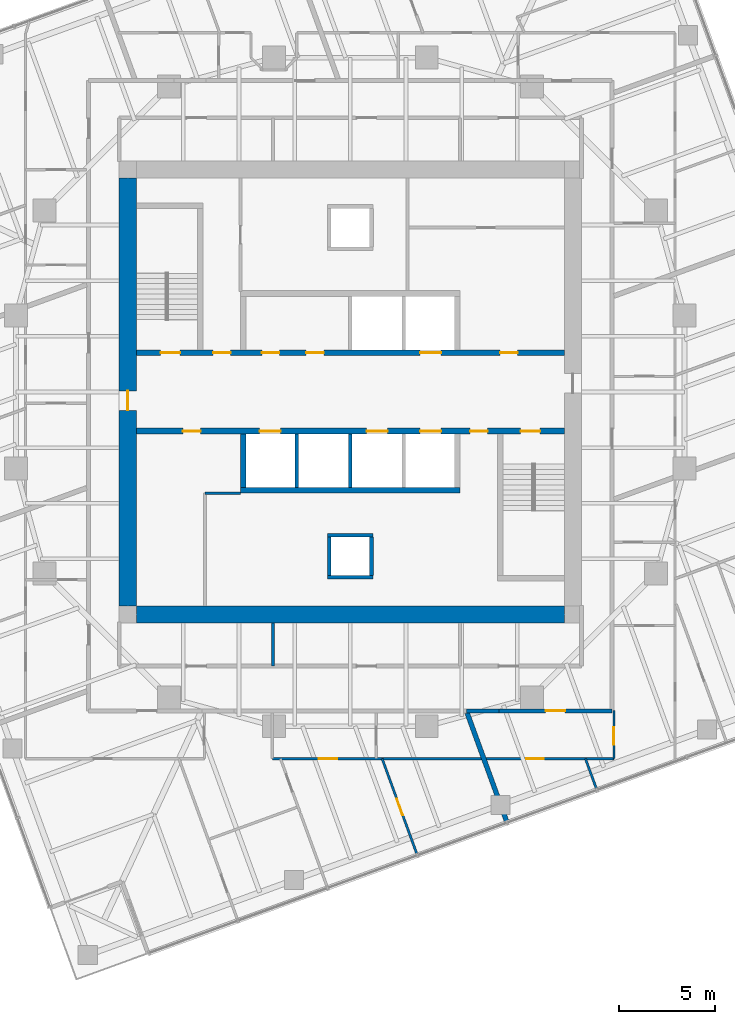
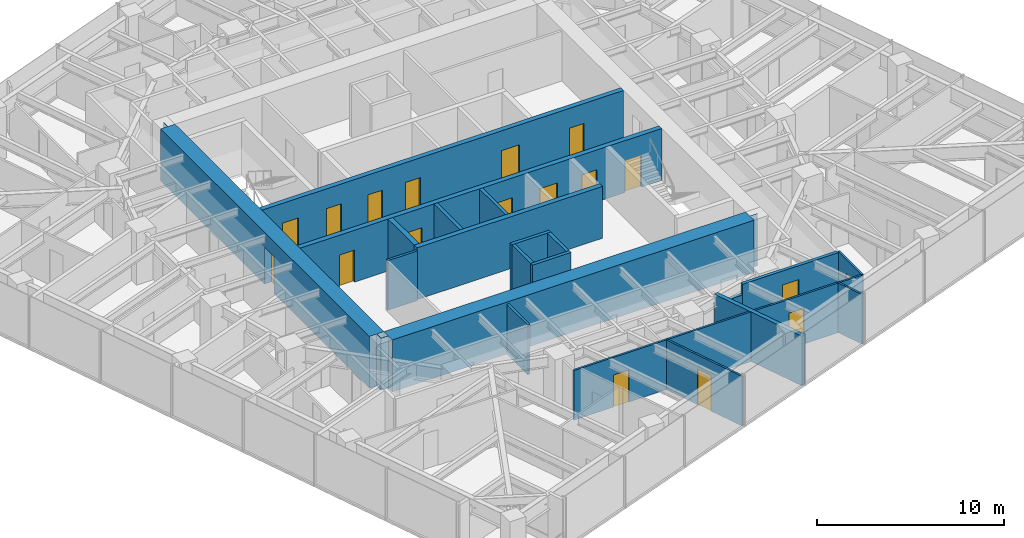
# One storey, part 8 of 13: 21 walls, 18 doors, 18 openings.
"""IFC4 building model written with IfcOpenShell, lengths in metres."""

from ifc_helpers import new_model, si_unit, direction, frame, frame_2d, origin, place, context, subcontext, project, spatial, polyline, rectangle, outline, extrude, material, layer, layer_set, type_object, element, fill, save


model = new_model("IFC4")

# Units and contexts
model_context = context("Model", 3, precision=1e-05, world=origin(), true_north=direction((0.0, 1.0)))
body_context = subcontext(model_context, "Body", "Model", "MODEL_VIEW")
ifc_project = project(units=[si_unit("LENGTHUNIT", "METRE"), si_unit("AREAUNIT", "SQUARE_METRE"), si_unit("VOLUMEUNIT", "CUBIC_METRE"), si_unit("PLANEANGLEUNIT", "RADIAN"), si_unit("MASSUNIT", "GRAM", prefix="KILO")], contexts=[model_context])

# Site, building, storey
site_placement = place(None, origin())
site = spatial("IfcSite", under=ifc_project, at=site_placement, CompositionType="ELEMENT")
building_placement = place(site_placement, origin())
building = spatial("IfcBuilding", under=site, at=building_placement, Name="Torsade Residences", CompositionType="ELEMENT")
storey_placement = place(building_placement, frame((0.0, 0.0, 143.800048828125)))
storey = spatial("IfcBuildingStorey", under=building, at=storey_placement, Name="L39", CompositionType="ELEMENT", Elevation=143.800048828125)

# Wall, openings, doors
ifc_material_1 = material(Name="Concrete 80 MPa", Category="concrete")
ifc_layer_1 = layer(ifc_material_1, 0.300048828125)
ifc_layer_set_1 = layer_set([ifc_layer_1], Name="Concrete 80 MPa")
wall_type_1 = type_object("IfcWallType", Name="CORE INTERNAL WALL 300", PredefinedType="SHEAR", material=ifc_layer_set_1)
wall_1_placement = place(storey_placement, frame((28.800048828125, 32.050048828125, 0.0), z_axis=(0.0, 0.0, 1.0), x_axis=(1.0, 0.0, 0.0)))
wall_1 = element("IfcWall", 1, at=wall_1_placement, inside=storey, type_object=wall_type_1, Name="Core wall LN L39", PredefinedType="SHEAR", context=body_context, shape_type="SweptSolid", body=[
    extrude(rectangle(XDim=22.39990234375, YDim=0.300048828125, at=frame_2d((11.199951171875, 0.0))), origin(), (0.0, 0.0, 1.0), 3.39990234375),
])
opening_1_placement = place(wall_1_placement, frame((19.0400390625, 0.0, 0.0)))
opening_1 = element("IfcOpeningElement", 2, at=opening_1_placement, cuts=wall_1, Name="Opening D06", PredefinedType="OPENING", context=body_context, shape_type="SweptSolid", body=[
    extrude(rectangle(XDim=0.919921875, YDim=2.10009765625, at=frame_2d((0.4599609375, 1.050048828125))), frame((0.0, 0.159912109375, 0.0), z_axis=(0.0, -1.0, 0.0), x_axis=(1.0, 0.0, 0.0)), (0.0, 0.0, 1.0), 0.320068359375),
])
opening_2_placement = place(wall_1_placement, frame((1.264892578125, 0.0, 0.0)))
opening_2 = element("IfcOpeningElement", 3, at=opening_2_placement, cuts=wall_1, Name="Opening D03", PredefinedType="OPENING", context=body_context, shape_type="SweptSolid", body=[
    extrude(rectangle(XDim=1.02001953125, YDim=2.10009765625, at=frame_2d((0.510009765625, 1.050048828125))), frame((0.0, 0.159912109375, 0.0), z_axis=(0.0, -1.0, 0.0), x_axis=(1.0, 0.0, 0.0)), (0.0, 0.0, 1.0), 0.320068359375),
])
opening_3_placement = place(wall_1_placement, frame((4.014892578125, 0.0, 0.0)))
opening_3 = element("IfcOpeningElement", 4, at=opening_3_placement, cuts=wall_1, Name="Opening D06", PredefinedType="OPENING", context=body_context, shape_type="SweptSolid", body=[
    extrude(rectangle(XDim=0.919921875, YDim=2.10009765625, at=frame_2d((0.4599609375, 1.050048828125))), frame((0.0, 0.159912109375, 0.0), z_axis=(0.0, -1.0, 0.0), x_axis=(1.0, 0.0, 0.0)), (0.0, 0.0, 1.0), 0.320068359375),
])
opening_4_placement = place(wall_1_placement, frame((6.56494140625, 0.0, 0.0)))
opening_4 = element("IfcOpeningElement", 5, at=opening_4_placement, cuts=wall_1, Name="Opening D06", PredefinedType="OPENING", context=body_context, shape_type="SweptSolid", body=[
    extrude(rectangle(XDim=0.919921875, YDim=2.10009765625, at=frame_2d((0.4599609375, 1.050048828125))), frame((0.0, 0.159912109375, 0.0), z_axis=(0.0, -1.0, 0.0), x_axis=(1.0, 0.0, 0.0)), (0.0, 0.0, 1.0), 0.320068359375),
])
opening_5_placement = place(wall_1_placement, frame((8.889892578125, 0.0, 0.0)))
opening_5 = element("IfcOpeningElement", 6, at=opening_5_placement, cuts=wall_1, Name="Opening D06", PredefinedType="OPENING", context=body_context, shape_type="SweptSolid", body=[
    extrude(rectangle(XDim=0.919921875, YDim=2.10009765625, at=frame_2d((0.4599609375, 1.050048828125))), frame((0.0, 0.159912109375, 0.0), z_axis=(0.0, -1.0, 0.0), x_axis=(1.0, 0.0, 0.0)), (0.0, 0.0, 1.0), 0.320068359375),
])
opening_6_placement = place(wall_1_placement, frame((14.85009765625, 0.0, 0.0)))
opening_6 = element("IfcOpeningElement", 7, at=opening_6_placement, cuts=wall_1, Name="Opening LD", PredefinedType="OPENING", context=body_context, shape_type="SweptSolid", body=[
    extrude(rectangle(XDim=1.10009765625, YDim=2.10009765625, at=frame_2d((0.550048828125, 1.050048828125))), frame((0.0, 0.159912109375, 0.0), z_axis=(0.0, -1.0, 0.0), x_axis=(1.0, 0.0, 0.0)), (0.0, 0.0, 1.0), 0.320068359375),
])
ifc_material_2 = material(Name="Steel-framed fire door", Category="steel")
door_type_1 = type_object("IfcDoorType", Name="FIRE DOOR 1020", OperationType="NOTDEFINED", PredefinedType="DOOR", material=ifc_material_2)
door_1_placement = place(opening_2_placement, origin())
door_1 = element("IfcDoor", 8, at=door_1_placement, inside=storey, type_object=door_type_1, Name="Exit door to fire-isolated stair ST1 L39", OperationType="SINGLE_SWING_RIGHT", OverallHeight=2.10009765625, OverallWidth=1.02001953125, PredefinedType="DOOR", context=body_context, shape_type="SweptSolid", body=[
    extrude(rectangle(XDim=1.02001953125, YDim=2.10009765625, at=frame_2d((0.510009765625, 1.050048828125))), frame((0.0, 0.02490234375, 0.0), z_axis=(0.0, -1.0, 0.0), x_axis=(1.0, 0.0, 0.0)), (0.0, 0.0, 1.0), 0.050048828125),
])
fill(opening_2, door_1)
ifc_material_3 = material(Name="Steel-framed fire door", Category="steel")
door_type_2 = type_object("IfcDoorType", Name="FIRE DOOR 920", OperationType="NOTDEFINED", PredefinedType="DOOR", material=ifc_material_3)
door_2_placement = place(opening_1_placement, origin())
door_2 = element("IfcDoor", 9, at=door_2_placement, inside=storey, type_object=door_type_2, Name="Door Lift lobby to Refuse room", OperationType="SINGLE_SWING_LEFT", OverallHeight=2.10009765625, OverallWidth=0.919921875, PredefinedType="DOOR", context=body_context, shape_type="SweptSolid", body=[
    extrude(rectangle(XDim=0.919921875, YDim=2.10009765625, at=frame_2d((0.4599609375, 1.050048828125))), frame((0.0, 0.02490234375, 0.0), z_axis=(0.0, -1.0, 0.0), x_axis=(1.0, 0.0, 0.0)), (0.0, 0.0, 1.0), 0.050048828125),
])
fill(opening_1, door_2)
door_3_placement = place(opening_3_placement, origin())
door_3 = element("IfcDoor", 10, at=door_3_placement, inside=storey, type_object=door_type_2, Name="Door Lift lobby to Main switchboard store", OperationType="SINGLE_SWING_LEFT", OverallHeight=2.10009765625, OverallWidth=0.919921875, PredefinedType="DOOR", context=body_context, shape_type="SweptSolid", body=[
    extrude(rectangle(XDim=0.919921875, YDim=2.10009765625, at=frame_2d((0.4599609375, 1.050048828125))), frame((0.0, 0.02490234375, 0.0), z_axis=(0.0, -1.0, 0.0), x_axis=(1.0, 0.0, 0.0)), (0.0, 0.0, 1.0), 0.050048828125),
])
fill(opening_3, door_3)
door_4_placement = place(opening_4_placement, origin())
door_4 = element("IfcDoor", 11, at=door_4_placement, inside=storey, type_object=door_type_2, Name="Door Lift lobby to Bulky waste store L39A", OperationType="SINGLE_SWING_LEFT", OverallHeight=2.10009765625, OverallWidth=0.919921875, PredefinedType="DOOR", context=body_context, shape_type="SweptSolid", body=[
    extrude(rectangle(XDim=0.919921875, YDim=2.10009765625, at=frame_2d((0.4599609375, 1.050048828125))), frame((0.0, 0.02490234375, 0.0), z_axis=(0.0, -1.0, 0.0), x_axis=(1.0, 0.0, 0.0)), (0.0, 0.0, 1.0), 0.050048828125),
])
fill(opening_4, door_4)
door_5_placement = place(opening_5_placement, origin())
door_5 = element("IfcDoor", 12, at=door_5_placement, inside=storey, type_object=door_type_2, Name="Door Lift lobby to Bulky waste store L39A", OperationType="SINGLE_SWING_LEFT", OverallHeight=2.10009765625, OverallWidth=0.919921875, PredefinedType="DOOR", context=body_context, shape_type="SweptSolid", body=[
    extrude(rectangle(XDim=0.919921875, YDim=2.10009765625, at=frame_2d((0.4599609375, 1.050048828125))), frame((0.0, 0.02490234375, 0.0), z_axis=(0.0, -1.0, 0.0), x_axis=(1.0, 0.0, 0.0)), (0.0, 0.0, 1.0), 0.050048828125),
])
fill(opening_5, door_5)
ifc_material_4 = material(Name="Stainless steel lift landing door", Category="steel")
door_type_3 = type_object("IfcDoorType", Name="LIFT LANDING DOOR 1100", OperationType="SLIDING_TO_LEFT", PredefinedType="DOOR", material=ifc_material_4)
door_6_placement = place(opening_6_placement, origin())
door_6 = element("IfcDoor", 13, at=door_6_placement, inside=storey, type_object=door_type_3, Name="Lift FL1 landing door L39", OperationType="SLIDING_TO_LEFT", OverallHeight=2.10009765625, OverallWidth=1.10009765625, PredefinedType="DOOR", context=body_context, shape_type="SweptSolid", body=[
    extrude(rectangle(XDim=1.10009765625, YDim=2.10009765625, at=frame_2d((0.550048828125, 1.050048828125))), frame((0.0, 0.02490234375, 0.0), z_axis=(0.0, -1.0, 0.0), x_axis=(1.0, 0.0, 0.0)), (0.0, 0.0, 1.0), 0.050048828125),
])
fill(opening_6, door_6)

wall_2_placement = place(storey_placement, frame((51.199951171875, 27.949951171875, 0.0), z_axis=(0.0, 0.0, 1.0), x_axis=(-1.0, 0.0, 0.0)))
wall_2 = element("IfcWall", 14, at=wall_2_placement, inside=storey, type_object=wall_type_1, Name="Core wall LS L39", PredefinedType="SHEAR", context=body_context, shape_type="SweptSolid", body=[
    extrude(rectangle(XDim=22.39990234375, YDim=0.300048828125, at=frame_2d((11.199951171875, 0.0))), origin(), (0.0, 0.0, 1.0), 3.39990234375),
])
opening_7_placement = place(wall_2_placement, frame((19.0400390625, 0.0, 0.0)))
opening_7 = element("IfcOpeningElement", 15, at=opening_7_placement, cuts=wall_2, Name="Opening D06", PredefinedType="OPENING", context=body_context, shape_type="SweptSolid", body=[
    extrude(rectangle(XDim=0.919921875, YDim=2.10009765625, at=frame_2d((0.4599609375, 1.050048828125))), frame((0.0, 0.159912109375, 0.0), z_axis=(0.0, -1.0, 0.0), x_axis=(1.0, 0.0, 0.0)), (0.0, 0.0, 1.0), 0.320068359375),
])
opening_8_placement = place(wall_2_placement, frame((1.264892578125, 0.0, 0.0)))
opening_8 = element("IfcOpeningElement", 16, at=opening_8_placement, cuts=wall_2, Name="Opening D03", PredefinedType="OPENING", context=body_context, shape_type="SweptSolid", body=[
    extrude(rectangle(XDim=1.02001953125, YDim=2.10009765625, at=frame_2d((0.510009765625, 1.050048828125))), frame((0.0, 0.159912109375, 0.0), z_axis=(0.0, -1.0, 0.0), x_axis=(1.0, 0.0, 0.0)), (0.0, 0.0, 1.0), 0.320068359375),
])
opening_9_placement = place(wall_2_placement, frame((4.014892578125, 0.0, 0.0)))
opening_9 = element("IfcOpeningElement", 17, at=opening_9_placement, cuts=wall_2, Name="Opening D06", PredefinedType="OPENING", context=body_context, shape_type="SweptSolid", body=[
    extrude(rectangle(XDim=0.919921875, YDim=2.10009765625, at=frame_2d((0.4599609375, 1.050048828125))), frame((0.0, 0.159912109375, 0.0), z_axis=(0.0, -1.0, 0.0), x_axis=(1.0, 0.0, 0.0)), (0.0, 0.0, 1.0), 0.320068359375),
])
opening_10_placement = place(wall_2_placement, frame((6.449951171875, 0.0, 0.0)))
opening_10 = element("IfcOpeningElement", 18, at=opening_10_placement, cuts=wall_2, Name="Opening LD", PredefinedType="OPENING", context=body_context, shape_type="SweptSolid", body=[
    extrude(rectangle(XDim=1.10009765625, YDim=2.10009765625, at=frame_2d((0.550048828125, 1.050048828125))), frame((0.0, 0.159912109375, 0.0), z_axis=(0.0, -1.0, 0.0), x_axis=(1.0, 0.0, 0.0)), (0.0, 0.0, 1.0), 0.320068359375),
])
opening_11_placement = place(wall_2_placement, frame((9.25, 0.0, 0.0)))
opening_11 = element("IfcOpeningElement", 19, at=opening_11_placement, cuts=wall_2, Name="Opening LD", PredefinedType="OPENING", context=body_context, shape_type="SweptSolid", body=[
    extrude(rectangle(XDim=1.10009765625, YDim=2.10009765625, at=frame_2d((0.550048828125, 1.050048828125))), frame((0.0, 0.159912109375, 0.0), z_axis=(0.0, -1.0, 0.0), x_axis=(1.0, 0.0, 0.0)), (0.0, 0.0, 1.0), 0.320068359375),
])
opening_12_placement = place(wall_2_placement, frame((14.85009765625, 0.0, 0.0)))
opening_12 = element("IfcOpeningElement", 20, at=opening_12_placement, cuts=wall_2, Name="Opening LD", PredefinedType="OPENING", context=body_context, shape_type="SweptSolid", body=[
    extrude(rectangle(XDim=1.10009765625, YDim=2.10009765625, at=frame_2d((0.550048828125, 1.050048828125))), frame((0.0, 0.159912109375, 0.0), z_axis=(0.0, -1.0, 0.0), x_axis=(1.0, 0.0, 0.0)), (0.0, 0.0, 1.0), 0.320068359375),
])
door_7_placement = place(opening_8_placement, origin())
door_7 = element("IfcDoor", 21, at=door_7_placement, inside=storey, type_object=door_type_1, Name="Exit door to fire-isolated stair ST2 L39", OperationType="SINGLE_SWING_RIGHT", OverallHeight=2.10009765625, OverallWidth=1.02001953125, PredefinedType="DOOR", context=body_context, shape_type="SweptSolid", body=[
    extrude(rectangle(XDim=1.02001953125, YDim=2.10009765625, at=frame_2d((0.510009765625, 1.050048828125))), frame((0.0, 0.02490234375, 0.0), z_axis=(0.0, -1.0, 0.0), x_axis=(1.0, 0.0, 0.0)), (0.0, 0.0, 1.0), 0.050048828125),
])
fill(opening_8, door_7)
door_8_placement = place(opening_7_placement, origin())
door_8 = element("IfcDoor", 22, at=door_8_placement, inside=storey, type_object=door_type_2, Name="Door Lift lobby to Cleaner store", OperationType="SINGLE_SWING_LEFT", OverallHeight=2.10009765625, OverallWidth=0.919921875, PredefinedType="DOOR", context=body_context, shape_type="SweptSolid", body=[
    extrude(rectangle(XDim=0.919921875, YDim=2.10009765625, at=frame_2d((0.4599609375, 1.050048828125))), frame((0.0, 0.02490234375, 0.0), z_axis=(0.0, -1.0, 0.0), x_axis=(1.0, 0.0, 0.0)), (0.0, 0.0, 1.0), 0.050048828125),
])
fill(opening_7, door_8)
door_9_placement = place(opening_9_placement, origin())
door_9 = element("IfcDoor", 23, at=door_9_placement, inside=storey, type_object=door_type_2, Name="Door Lift lobby to Communications riser room", OperationType="SINGLE_SWING_RIGHT", OverallHeight=2.10009765625, OverallWidth=0.919921875, PredefinedType="DOOR", context=body_context, shape_type="SweptSolid", body=[
    extrude(rectangle(XDim=0.919921875, YDim=2.10009765625, at=frame_2d((0.4599609375, 1.050048828125))), frame((0.0, 0.02490234375, 0.0), z_axis=(0.0, -1.0, 0.0), x_axis=(1.0, 0.0, 0.0)), (0.0, 0.0, 1.0), 0.050048828125),
])
fill(opening_9, door_9)
door_10_placement = place(opening_10_placement, origin())
door_10 = element("IfcDoor", 24, at=door_10_placement, inside=storey, type_object=door_type_3, Name="Lift LB1 landing door L39", OperationType="SLIDING_TO_LEFT", OverallHeight=2.10009765625, OverallWidth=1.10009765625, PredefinedType="DOOR", context=body_context, shape_type="SweptSolid", body=[
    extrude(rectangle(XDim=1.10009765625, YDim=2.10009765625, at=frame_2d((0.550048828125, 1.050048828125))), frame((0.0, 0.02490234375, 0.0), z_axis=(0.0, -1.0, 0.0), x_axis=(1.0, 0.0, 0.0)), (0.0, 0.0, 1.0), 0.050048828125),
])
fill(opening_10, door_10)
door_11_placement = place(opening_11_placement, origin())
door_11 = element("IfcDoor", 25, at=door_11_placement, inside=storey, type_object=door_type_3, Name="Lift LB2 landing door L39", OperationType="SLIDING_TO_LEFT", OverallHeight=2.10009765625, OverallWidth=1.10009765625, PredefinedType="DOOR", context=body_context, shape_type="SweptSolid", body=[
    extrude(rectangle(XDim=1.10009765625, YDim=2.10009765625, at=frame_2d((0.550048828125, 1.050048828125))), frame((0.0, 0.02490234375, 0.0), z_axis=(0.0, -1.0, 0.0), x_axis=(1.0, 0.0, 0.0)), (0.0, 0.0, 1.0), 0.050048828125),
])
fill(opening_11, door_11)
door_12_placement = place(opening_12_placement, origin())
door_12 = element("IfcDoor", 26, at=door_12_placement, inside=storey, type_object=door_type_3, Name="Lift FL2 landing door L39", OperationType="SLIDING_TO_LEFT", OverallHeight=2.10009765625, OverallWidth=1.10009765625, PredefinedType="DOOR", context=body_context, shape_type="SweptSolid", body=[
    extrude(rectangle(XDim=1.10009765625, YDim=2.10009765625, at=frame_2d((0.550048828125, 1.050048828125))), frame((0.0, 0.02490234375, 0.0), z_axis=(0.0, -1.0, 0.0), x_axis=(1.0, 0.0, 0.0)), (0.0, 0.0, 1.0), 0.050048828125),
])
fill(opening_12, door_12)

# Walls
wall_3_placement = place(storey_placement, frame((45.75, 24.85009765625, 0.0), z_axis=(0.0, 0.0, 1.0), x_axis=(-1.0, 0.0, 0.0)))
element("IfcWall", 27, at=wall_3_placement, inside=storey, type_object=wall_type_1, Name="Core wall BS L39", PredefinedType="SHEAR", context=body_context, shape_type="SweptSolid", body=[
    extrude(rectangle(XDim=11.5, YDim=0.300048828125, at=frame_2d((5.75, 0.0))), origin(), (0.0, 0.0, 1.0), 3.39990234375),
])
wall_4_placement = place(storey_placement, frame((34.39990234375, 27.800048828125, 0.0), z_axis=(0.0, 0.0, 1.0), x_axis=(0.0, -1.0, 0.0)))
element("IfcWall", 28, at=wall_4_placement, inside=storey, type_object=wall_type_1, Name="Core wall DS4 L39", PredefinedType="SHEAR", context=body_context, shape_type="SweptSolid", body=[
    extrude(rectangle(XDim=2.800048828125, YDim=0.300048828125, at=frame_2d((1.39990234375, 0.0))), origin(), (0.0, 0.0, 1.0), 3.39990234375),
])
ifc_material_5 = material(Name="Concrete 80 MPa", Category="concrete")
ifc_layer_2 = layer(ifc_material_5, 0.89990234375)
ifc_layer_set_2 = layer_set([ifc_layer_2], Name="Concrete 80 MPa")
wall_type_2 = type_object("IfcWallType", Name="CORE WALL 900", PredefinedType="SHEAR", material=ifc_layer_set_2)
wall_5_placement = place(storey_placement, frame((51.199951171875, 18.35009765625, 0.0), z_axis=(0.0, 0.0, 1.0), x_axis=(-1.0, 0.0, 0.0)))
element("IfcWall", 29, at=wall_5_placement, inside=storey, type_object=wall_type_2, Name="Core wall S L39", PredefinedType="SHEAR", context=body_context, shape_type="SweptSolid", body=[
    extrude(outline(polyline([(0.0, -0.449951171875), (22.39990234375, -0.449951171875), (22.39990234375, -0.02490234375), (22.849853515625, -0.02490234375), (22.849853515625, 0.02490234375), (22.39990234375, 0.02490234375), (22.39990234375, 0.449951171875), (0.0, 0.449951171875), (0.0, 0.02490234375), (-0.449951171875, 0.02490234375), (-0.449951171875, -0.02490234375), (0.0, -0.02490234375), (0.0, -0.449951171875)])), origin(), (0.0, 0.0, 1.0), 3.39990234375),
])

# Wall, opening, door
wall_6_placement = place(storey_placement, frame((28.35009765625, 41.199951171875, 0.0), z_axis=(0.0, 0.0, 1.0), x_axis=(0.0, -1.0, 0.0)))
wall_6 = element("IfcWall", 30, at=wall_6_placement, inside=storey, type_object=wall_type_2, Name="Core wall W L39", PredefinedType="SHEAR", context=body_context, shape_type="SweptSolid", body=[
    extrude(outline(polyline([(0.0, -0.449951171875), (22.39990234375, -0.449951171875), (22.39990234375, -0.02490234375), (22.849853515625, -0.02490234375), (22.849853515625, 0.02490234375), (22.39990234375, 0.02490234375), (22.39990234375, 0.449951171875), (0.0, 0.449951171875), (0.0, 0.02490234375), (-0.449951171875, 0.02490234375), (-0.449951171875, -0.02490234375), (0.0, -0.02490234375), (0.0, -0.449951171875)])), origin(), (0.0, 0.0, 1.0), 3.39990234375),
])
opening_13_placement = place(wall_6_placement, frame((11.139892578125, 0.0, 0.0)))
opening_13 = element("IfcOpeningElement", 31, at=opening_13_placement, cuts=wall_6, Name="Opening D04", PredefinedType="OPENING", context=body_context, shape_type="SweptSolid", body=[
    extrude(rectangle(XDim=1.02001953125, YDim=2.39990234375, at=frame_2d((0.510009765625, 1.199951171875))), frame((0.0, 0.4599609375, 0.0), z_axis=(0.0, -1.0, 0.0), x_axis=(1.0, 0.0, 0.0)), (0.0, 0.0, 1.0), 0.919921875),
])
ifc_material_6 = material(Name="Steel-framed fire door", Category="steel")
door_type_4 = type_object("IfcDoorType", Name="LOBBY SMOKE DOOR 1020x2400", OperationType="NOTDEFINED", PredefinedType="DOOR", material=ifc_material_6)
door_13_placement = place(opening_13_placement, origin())
door_13 = element("IfcDoor", 32, at=door_13_placement, inside=storey, type_object=door_type_4, Name="Lift lobby door W L39", OperationType="SINGLE_SWING_RIGHT", OverallHeight=2.39990234375, OverallWidth=1.02001953125, PredefinedType="DOOR", context=body_context, shape_type="SweptSolid", body=[
    extrude(rectangle(XDim=1.02001953125, YDim=2.39990234375, at=frame_2d((0.510009765625, 1.199951171875))), frame((0.0, 0.02490234375, 0.0), z_axis=(0.0, -1.0, 0.0), x_axis=(1.0, 0.0, 0.0)), (0.0, 0.0, 1.0), 0.050048828125),
])
fill(opening_13, door_13)

# Wall
ifc_material_7 = material(Name="Plasterboard on steel stud", Category="steel")
ifc_layer_3 = layer(ifc_material_7, 0.199951171875)
ifc_layer_set_3 = layer_set([ifc_layer_3], Name="Plasterboard on steel stud")
wall_type_3 = type_object("IfcWallType", Name="CORRIDOR WALL 200", PredefinedType="PARTITIONING", material=ifc_layer_set_3)
wall_7_placement = place(storey_placement, frame((46.091552734375, 13.300048828125, 0.0), z_axis=(0.0, 0.0, 1.0), x_axis=(1.0, 0.0, 0.0)))
element("IfcWall", 33, at=wall_7_placement, inside=storey, type_object=wall_type_3, Name="Corridor wall L39", PredefinedType="PARTITIONING", context=body_context, shape_type="SweptSolid", body=[
    extrude(rectangle(XDim=1.68359375, YDim=0.199951171875, at=frame_2d((0.841796875, 0.0))), origin(), (0.0, 0.0, 1.0), 2.550048828125),
])

# Wall, opening, door
wall_8_placement = place(storey_placement, frame((47.775146484375, 13.300048828125, 0.0), z_axis=(0.0, 0.0, 1.0), x_axis=(1.0, 0.0, 0.0)))
wall_8 = element("IfcWall", 34, at=wall_8_placement, inside=storey, type_object=wall_type_3, Name="Corridor wall L39", PredefinedType="PARTITIONING", context=body_context, shape_type="SweptSolid", body=[
    extrude(rectangle(XDim=5.9248046875, YDim=0.199951171875, at=frame_2d((2.96240234375, 0.0))), origin(), (0.0, 0.0, 1.0), 3.25),
])
opening_14_placement = place(wall_8_placement, frame((2.453369140625, 0.0, 0.0)))
opening_14 = element("IfcOpeningElement", 35, at=opening_14_placement, cuts=wall_8, Name="Opening D01", PredefinedType="OPENING", context=body_context, shape_type="SweptSolid", body=[
    extrude(rectangle(XDim=1.02001953125, YDim=2.340087890625, at=frame_2d((0.510009765625, 1.169921875))), frame((0.0, 0.10986328125, 0.0), z_axis=(0.0, -1.0, 0.0), x_axis=(1.0, 0.0, 0.0)), (0.0, 0.0, 1.0), 0.219970703125),
])
ifc_material_8 = material(Name="Solid-core timber fire door", Category="wood")
door_type_5 = type_object("IfcDoorType", Name="APARTMENT ENTRY DOOR 1020x2340", OperationType="NOTDEFINED", PredefinedType="DOOR", material=ifc_material_8)
door_14_placement = place(opening_14_placement, origin())
door_14 = element("IfcDoor", 36, at=door_14_placement, inside=storey, type_object=door_type_5, Name="Door Residential corridor to Kitchen and dining", OperationType="SINGLE_SWING_LEFT", OverallHeight=2.340087890625, OverallWidth=1.02001953125, PredefinedType="DOOR", context=body_context, shape_type="SweptSolid", body=[
    extrude(rectangle(XDim=1.02001953125, YDim=2.340087890625, at=frame_2d((0.510009765625, 1.169921875))), frame((0.0, 0.02490234375, 0.0), z_axis=(0.0, -1.0, 0.0), x_axis=(1.0, 0.0, 0.0)), (0.0, 0.0, 1.0), 0.050048828125),
])
fill(opening_14, door_14)

# Walls
ifc_material_9 = material(Name="Reinforced blockwork", Category="masonry")
ifc_layer_4 = layer(ifc_material_9, 0.199951171875)
ifc_layer_set_4 = layer_set([ifc_layer_4], Name="Reinforced blockwork")
wall_type_4 = type_object("IfcWallType", Name="LIFT SHAFT DIVIDING WALL 200", PredefinedType="SOLIDWALL", material=ifc_layer_set_4)
for number, where, z_axis, x_axis, name in (
    (37, (40.0, 27.800048828125, 0.0), (0.0, 0.0, 1.0), (0.0, -1.0, 0.0), "Core wall DS2 L39"),
    (38, (37.199951171875, 27.800048828125, 0.0), (0.0, 0.0, 1.0), (0.0, -1.0, 0.0), "Core wall DS3 L39"),
):
    element("IfcWall", number, at=place(storey_placement, frame(where, z_axis=z_axis, x_axis=x_axis)), inside=storey, type_object=wall_type_4, Name=name, PredefinedType="SOLIDWALL", context=body_context, shape_type="SweptSolid", body=[
        extrude(rectangle(XDim=2.800048828125, YDim=0.199951171875, at=frame_2d((1.39990234375, 0.0))), origin(), (0.0, 0.0, 1.0), 3.39990234375),
    ])

# Wall, openings, doors
ifc_material_10 = material(Name="Plasterboard on steel stud", Category="steel")
ifc_layer_5 = layer(ifc_material_10, 0.1201171875)
ifc_layer_set_5 = layer_set([ifc_layer_5], Name="Plasterboard on steel stud")
wall_type_5 = type_object("IfcWallType", Name="PARTITION 120", PredefinedType="PARTITIONING", material=ifc_layer_set_5)
wall_9_placement = place(storey_placement, frame((53.800048828125, 10.800048828125, 0.0), z_axis=(0.0, 0.0, 1.0), x_axis=(-1.0, 0.0, 0.0)))
wall_9 = element("IfcWall", 39, at=wall_9_placement, inside=storey, type_object=wall_type_5, Name="Partition L39", PredefinedType="PARTITIONING", context=body_context, shape_type="SweptSolid", body=[
    extrude(rectangle(XDim=17.884033203125, YDim=0.1201171875, at=frame_2d((8.94189453125, 0.0))), origin(), (0.0, 0.0, 1.0), 3.25),
])
opening_15_placement = place(wall_9_placement, frame((3.664794921875, 0.0, 0.0)))
opening_15 = element("IfcOpeningElement", 40, at=opening_15_placement, cuts=wall_9, Name="Opening D02", PredefinedType="OPENING", context=body_context, shape_type="SweptSolid", body=[
    extrude(rectangle(XDim=0.919921875, YDim=2.340087890625, at=frame_2d((0.4599609375, 1.169921875))), frame((0.0, 0.070068359375, 0.0), z_axis=(0.0, -1.0, 0.0), x_axis=(1.0, 0.0, 0.0)), (0.0, 0.0, 1.0), 0.14013671875),
])
opening_16_placement = place(wall_9_placement, frame((14.4970703125, 0.0, 0.0)))
opening_16 = element("IfcOpeningElement", 41, at=opening_16_placement, cuts=wall_9, Name="Opening D05", PredefinedType="OPENING", context=body_context, shape_type="SweptSolid", body=[
    extrude(rectangle(XDim=0.9599609375, YDim=2.10009765625, at=frame_2d((0.47998046875, 1.050048828125))), frame((0.0, 0.070068359375, 0.0), z_axis=(0.0, -1.0, 0.0), x_axis=(1.0, 0.0, 0.0)), (0.0, 0.0, 1.0), 0.14013671875),
])
ifc_material_11 = material(Name="Hollow-core timber door in a steel cavity frame", Category="steel")
door_type_6 = type_object("IfcDoorType", Name="BATHROOM CAVITY SLIDING DOOR 960", OperationType="SLIDING_TO_LEFT", PredefinedType="DOOR", material=ifc_material_11)
door_15_placement = place(opening_16_placement, origin())
door_15 = element("IfcDoor", 42, at=door_15_placement, inside=storey, type_object=door_type_6, Name="Door Bedroom 1 to Ensuite 2", OperationType="SLIDING_TO_LEFT", OverallHeight=2.10009765625, OverallWidth=0.9599609375, PredefinedType="DOOR", context=body_context, shape_type="SweptSolid", body=[
    extrude(rectangle(XDim=0.9599609375, YDim=2.10009765625, at=frame_2d((0.47998046875, 1.050048828125))), frame((0.0, 0.02490234375, 0.0), z_axis=(0.0, -1.0, 0.0), x_axis=(1.0, 0.0, 0.0)), (0.0, 0.0, 1.0), 0.050048828125),
])
fill(opening_16, door_15)
ifc_material_12 = material(Name="Hollow-core timber door", Category="wood")
door_type_7 = type_object("IfcDoorType", Name="INTERNAL DOOR 920x2340", OperationType="NOTDEFINED", PredefinedType="DOOR", material=ifc_material_12)
door_16_placement = place(opening_15_placement, origin())
door_16 = element("IfcDoor", 43, at=door_16_placement, inside=storey, type_object=door_type_7, Name="Door Kitchen and dining to Family room", OperationType="SINGLE_SWING_RIGHT", OverallHeight=2.340087890625, OverallWidth=0.919921875, PredefinedType="DOOR", context=body_context, shape_type="SweptSolid", body=[
    extrude(rectangle(XDim=0.919921875, YDim=2.340087890625, at=frame_2d((0.4599609375, 1.169921875))), frame((0.0, 0.02490234375, 0.0), z_axis=(0.0, -1.0, 0.0), x_axis=(1.0, 0.0, 0.0)), (0.0, 0.0, 1.0), 0.050048828125),
])
fill(opening_15, door_16)

# Wall, opening, door
wall_10_placement = place(storey_placement, frame((41.66748046875, 10.800048828125, 0.0), z_axis=(0.0, 0.0, 1.0), x_axis=(0.341995981916, -0.939701414468, 0.0)))
wall_10 = element("IfcWall", 44, at=wall_10_placement, inside=storey, type_object=wall_type_5, Name="Partition L39", PredefinedType="PARTITIONING", context=body_context, shape_type="SweptSolid", body=[
    extrude(rectangle(XDim=5.34765625, YDim=0.1201171875, at=frame_2d((2.673828125, 0.0))), origin(), (0.0, 0.0, 1.0), 3.25),
])
opening_17_placement = place(wall_10_placement, frame((2.23388671875, 0.0, 0.0)))
opening_17 = element("IfcOpeningElement", 45, at=opening_17_placement, cuts=wall_10, Name="Opening D02", PredefinedType="OPENING", context=body_context, shape_type="SweptSolid", body=[
    extrude(rectangle(XDim=0.919921875, YDim=2.340087890625, at=frame_2d((0.4599609375, 1.169921875))), frame((0.0, 0.070068359375, 0.0), z_axis=(0.0, -1.0, 0.0), x_axis=(1.0, 0.0, 0.0)), (0.0, 0.0, 1.0), 0.14013671875),
])
door_17_placement = place(opening_17_placement, origin())
door_17 = element("IfcDoor", 46, at=door_17_placement, inside=storey, type_object=door_type_7, Name="Door Bedroom 1 to Bedroom 2", OperationType="SINGLE_SWING_LEFT", OverallHeight=2.340087890625, OverallWidth=0.919921875, PredefinedType="DOOR", context=body_context, shape_type="SweptSolid", body=[
    extrude(rectangle(XDim=0.919921875, YDim=2.340087890625, at=frame_2d((0.4599609375, 1.169921875))), frame((0.0, 0.02490234375, 0.0), z_axis=(0.0, -1.0, 0.0), x_axis=(1.0, 0.0, 0.0)), (0.0, 0.0, 1.0), 0.050048828125),
])
fill(opening_17, door_17)

wall_11_placement = place(storey_placement, frame((53.800048828125, 13.320068359375, 0.0), z_axis=(0.0, 0.0, 1.0), x_axis=(0.0, -1.0, 0.0)))
wall_11 = element("IfcWall", 47, at=wall_11_placement, inside=storey, type_object=wall_type_5, Name="Partition L39", PredefinedType="PARTITIONING", context=body_context, shape_type="SweptSolid", body=[
    extrude(rectangle(XDim=2.52001953125, YDim=0.1201171875, at=frame_2d((1.260009765625, 0.0))), origin(), (0.0, 0.0, 1.0), 3.25),
])
opening_18_placement = place(wall_11_placement, frame((0.859619140625, 0.0, 0.0)))
opening_18 = element("IfcOpeningElement", 48, at=opening_18_placement, cuts=wall_11, Name="Opening D02", PredefinedType="OPENING", context=body_context, shape_type="SweptSolid", body=[
    extrude(rectangle(XDim=0.919921875, YDim=2.340087890625, at=frame_2d((0.4599609375, 1.169921875))), frame((0.0, 0.070068359375, 0.0), z_axis=(0.0, -1.0, 0.0), x_axis=(1.0, 0.0, 0.0)), (0.0, 0.0, 1.0), 0.14013671875),
])
door_18_placement = place(opening_18_placement, origin())
door_18 = element("IfcDoor", 49, at=door_18_placement, inside=storey, type_object=door_type_7, Name="Door Kitchen and dining to Scullery", OperationType="SINGLE_SWING_LEFT", OverallHeight=2.340087890625, OverallWidth=0.919921875, PredefinedType="DOOR", context=body_context, shape_type="SweptSolid", body=[
    extrude(rectangle(XDim=0.919921875, YDim=2.340087890625, at=frame_2d((0.4599609375, 1.169921875))), frame((0.0, 0.02490234375, 0.0), z_axis=(0.0, -1.0, 0.0), x_axis=(1.0, 0.0, 0.0)), (0.0, 0.0, 1.0), 0.050048828125),
])
fill(opening_18, door_18)

# Walls
wall_12_placement = place(storey_placement, frame((52.893310546875, 9.195068359375, 0.0), z_axis=(0.0, 0.0, 1.0), x_axis=(-0.342052919471, 0.939680690597, 0.0)))
element("IfcWall", 50, at=wall_12_placement, inside=storey, type_object=wall_type_5, Name="Partition L39", PredefinedType="PARTITIONING", context=body_context, shape_type="SweptSolid", body=[
    extrude(rectangle(XDim=1.7080078125, YDim=0.1201171875, at=frame_2d((0.85400390625, 0.0))), origin(), (0.0, 0.0, 1.0), 3.25),
])
ifc_material_13 = material(Name="Masonry-lined stud party wall", Category="masonry")
ifc_layer_6 = layer(ifc_material_13, 0.25)
ifc_layer_set_6 = layer_set([ifc_layer_6], Name="Masonry-lined stud party wall")
wall_type_6 = type_object("IfcWallType", Name="PARTY WALL 250", PredefinedType="PARTITIONING", material=ifc_layer_set_6)
wall_13_placement = place(storey_placement, frame((48.20849609375, 7.447265625, 0.0), z_axis=(0.0, 0.0, 1.0), x_axis=(-0.341999444481, 0.939700154291, 0.0)))
element("IfcWall", 51, at=wall_13_placement, inside=storey, type_object=wall_type_6, Name="Party wall L39", PredefinedType="PARTITIONING", context=body_context, shape_type="SweptSolid", body=[
    extrude(rectangle(XDim=6.116455078125, YDim=0.25, at=frame_2d((3.05810546875, 0.0))), origin(), (0.0, 0.0, 1.0), 3.25),
])
ifc_material_14 = material(Name="Reinforced blockwork", Category="masonry")
ifc_layer_7 = layer(ifc_material_14, 0.199951171875)
ifc_layer_set_7 = layer_set([ifc_layer_7], Name="Reinforced blockwork")
wall_type_7 = type_object("IfcWallType", Name="RISER SHAFT WALL 200", PredefinedType="SOLIDWALL", material=ifc_layer_set_7)
for number, where, z_axis, x_axis, name in (
    (52, (38.89990234375, 22.39990234375, 0.0), (0.0, 0.0, 1.0), (0.0, -1.0, 0.0), "Core wall RS2a L39"),
    (53, (41.10009765625, 22.39990234375, 0.0), (0.0, 0.0, 1.0), (0.0, -1.0, 0.0), "Core wall RS2b L39"),
):
    element("IfcWall", number, at=place(storey_placement, frame(where, z_axis=z_axis, x_axis=x_axis)), inside=storey, type_object=wall_type_7, Name=name, PredefinedType="SOLIDWALL", context=body_context, shape_type="SweptSolid", body=[
        extrude(rectangle(XDim=2.0, YDim=0.199951171875, at=frame_2d((1.0, 0.0))), origin(), (0.0, 0.0, 1.0), 3.39990234375),
    ])
for number, where, z_axis, x_axis, name in (
    (54, (38.800048828125, 22.5, 0.0), (0.0, 0.0, 1.0), (1.0, 0.0, 0.0), "Core wall RS2c L39"),
    (55, (38.800048828125, 20.300048828125, 0.0), (0.0, 0.0, 1.0), (1.0, 0.0, 0.0), "Core wall RS2d L39"),
):
    element("IfcWall", number, at=place(storey_placement, frame(where, z_axis=z_axis, x_axis=x_axis)), inside=storey, type_object=wall_type_7, Name=name, PredefinedType="SOLIDWALL", context=body_context, shape_type="SweptSolid", body=[
        extrude(rectangle(XDim=2.39990234375, YDim=0.199951171875, at=frame_2d((1.199951171875, 0.0))), origin(), (0.0, 0.0, 1.0), 3.39990234375),
    ])
ifc_material_15 = material(Name="Reinforced blockwork", Category="masonry")
ifc_layer_8 = layer(ifc_material_15, 0.14990234375)
ifc_layer_set_8 = layer_set([ifc_layer_8], Name="Reinforced blockwork")
wall_type_8 = type_object("IfcWallType", Name="SERVICE ROOM WALL 150", PredefinedType="SOLIDWALL", material=ifc_layer_set_8)
wall_14_placement = place(storey_placement, frame((32.39990234375, 24.699951171875, 0.0), z_axis=(0.0, 0.0, 1.0), x_axis=(1.0, 0.0, 0.0)))
element("IfcWall", 56, at=wall_14_placement, inside=storey, type_object=wall_type_8, Name="Service room wall L39", PredefinedType="SOLIDWALL", context=body_context, shape_type="SweptSolid", body=[
    extrude(rectangle(XDim=1.85009765625, YDim=0.14990234375, at=frame_2d((0.925048828125, 0.0))), origin(), (0.0, 0.0, 1.0), 3.25),
])
wall_15_placement = place(storey_placement, frame((35.95849609375, 15.64990234375, 0.0), z_axis=(0.0, 0.0, 1.0), x_axis=(0.0, 1.0, 0.0)))
element("IfcWall", 57, at=wall_15_placement, inside=storey, type_object=wall_type_8, Name="Service room wall L39", PredefinedType="SOLIDWALL", context=body_context, shape_type="SweptSolid", body=[
    extrude(rectangle(XDim=2.25, YDim=0.14990234375, at=frame_2d((1.125, 0.0))), origin(), (0.0, 0.0, 1.0), 3.25),
])

save(model, "model.ifc")
